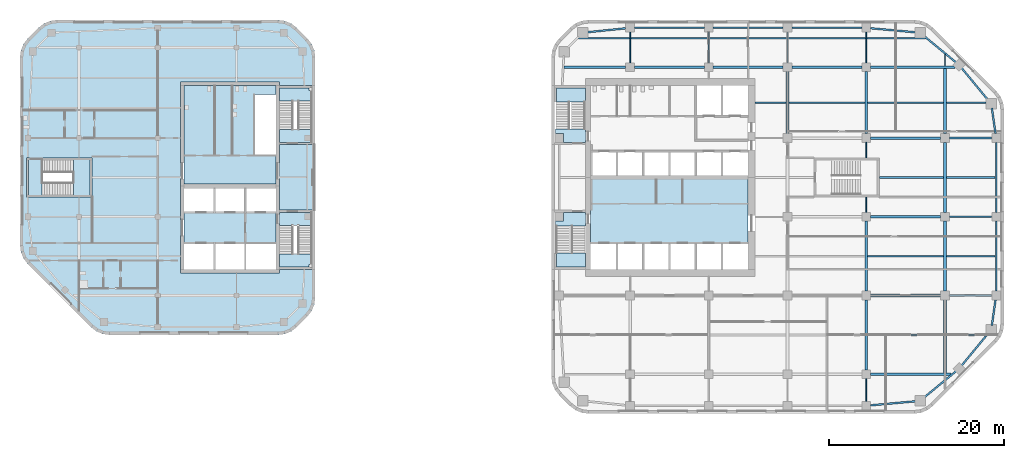
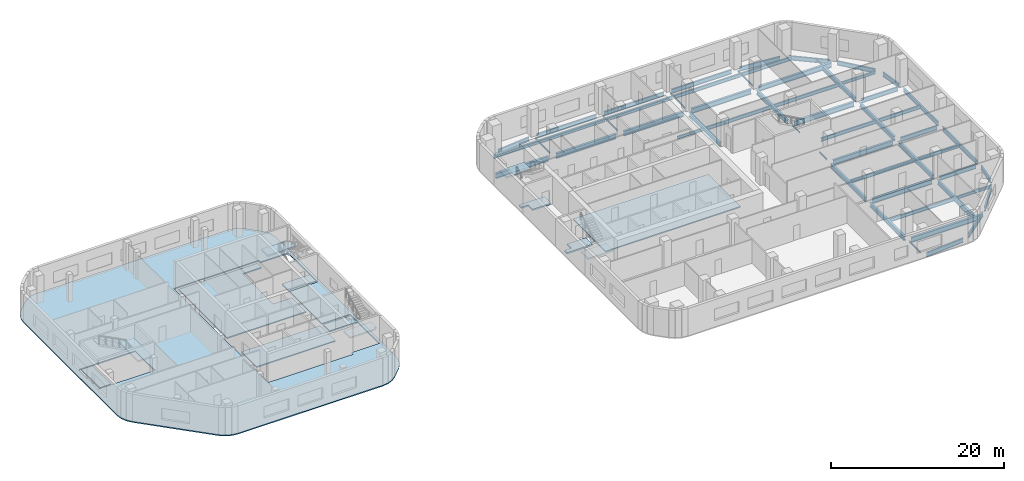
# One storey, part 3 of 14: 57 beams, 14 slabs, 5 elements without a shape of their own.
"""IFC4 building model written with IfcOpenShell, lengths in metres."""

from ifc_helpers import new_model, si_unit, direction, frame, origin, origin_2d, place, context, subcontext, project, spatial, polyline, i_section, outline, extrude, material, layer, layer_set, material_profile, profile_set, type_object, element, aggregate, save


model = new_model("IFC4")

# Units and contexts
model_context = context("Model", 3, precision=1e-05, world=origin(), true_north=direction((0.0, 1.0)))
body_context = subcontext(model_context, "Body", "Model", "MODEL_VIEW")
ifc_project = project(units=[si_unit("LENGTHUNIT", "METRE"), si_unit("AREAUNIT", "SQUARE_METRE"), si_unit("VOLUMEUNIT", "CUBIC_METRE"), si_unit("PLANEANGLEUNIT", "RADIAN"), si_unit("MASSUNIT", "GRAM", prefix="KILO")], contexts=[model_context])

# Site, building, storey
site_placement = place(None, origin())
site = spatial("IfcSite", under=ifc_project, at=site_placement, CompositionType="ELEMENT")
building_placement = place(site_placement, origin())
building = spatial("IfcBuilding", under=site, at=building_placement, Name="Cinnabar Reach Civic Tower", CompositionType="ELEMENT")
storey_placement = place(building_placement, frame((0.0, 0.0, 104.0)))
storey = spatial("IfcBuildingStorey", under=building, at=storey_placement, Name="L24", CompositionType="ELEMENT", Elevation=104.0)

# Beams
ifc_material_1 = material(Name="Steel Q355B", Category="steel")
ifc_material_profile_1 = material_profile(ifc_material_1, i_section(OverallWidth=0.302, OverallDepth=0.594, WebThickness=0.014, FlangeThickness=0.023, FilletRadius=0.016, at=origin_2d()), Name="HM594x302x14x23")
ifc_profile_set_1 = profile_set([ifc_material_profile_1], Name="Steel Q355B")
beam_type_1 = type_object("IfcBeamType", Name="HM594x302x14x23 beam R 180", PredefinedType="BEAM", material=ifc_profile_set_1)
beam_1_placement = place(storey_placement, frame((27.0, 36.502, -0.447), z_axis=(0.0, 1.0, 0.0), x_axis=(-1.0, 0.0, 0.0)))
element("IfcBeam", 1, at=beam_1_placement, inside=storey, type_object=beam_type_1, Name="Girder T1 L24 13", PredefinedType="BEAM", context=body_context, shape_type="SweptSolid", body=[
    extrude(i_section(OverallWidth=0.302, OverallDepth=0.594, WebThickness=0.014, FlangeThickness=0.023, FilletRadius=0.016, at=origin_2d()), origin(), (0.0, 0.0, 1.0), 7.096),
])
for number, where, z_axis, x_axis, name in (
    (2, (36.0, 9.502, -0.447), (0.0, 1.0, 0.0), (-1.0, 0.0, 0.0), "Girder T1 L24 16"),
    (3, (36.0, 18.502, -0.447), (0.0, 1.0, 0.0), (-1.0, 0.0, 0.0), "Girder T1 L24 17"),
):
    element("IfcBeam", number, at=place(storey_placement, frame(where, z_axis=z_axis, x_axis=x_axis)), inside=storey, type_object=beam_type_1, Name=name, PredefinedType="BEAM", context=body_context, shape_type="SweptSolid", body=[
        extrude(i_section(OverallWidth=0.302, OverallDepth=0.594, WebThickness=0.014, FlangeThickness=0.023, FilletRadius=0.016, at=origin_2d()), origin(), (0.0, 0.0, 1.0), 7.996),
    ])
beam_2_placement = place(storey_placement, frame((36.0, 36.502, -0.447), z_axis=(0.0, 1.0, 0.0), x_axis=(-1.0, 0.0, 0.0)))
element("IfcBeam", 4, at=beam_2_placement, inside=storey, type_object=beam_type_1, Name="Girder T1 L24 20", PredefinedType="BEAM", context=body_context, shape_type="SweptSolid", body=[
    extrude(i_section(OverallWidth=0.302, OverallDepth=0.594, WebThickness=0.014, FlangeThickness=0.023, FilletRadius=0.016, at=origin_2d()), origin(), (0.0, 0.0, 1.0), 7.096),
])
beam_3_placement = place(storey_placement, frame((45.0, 9.152, -0.447), z_axis=(0.0, 1.0, 0.0), x_axis=(-1.0, 0.0, 0.0)))
element("IfcBeam", 5, at=beam_3_placement, inside=storey, type_object=beam_type_1, Name="Girder T1 L24 22", PredefinedType="BEAM", context=body_context, shape_type="SweptSolid", body=[
    extrude(i_section(OverallWidth=0.302, OverallDepth=0.594, WebThickness=0.014, FlangeThickness=0.023, FilletRadius=0.016, at=origin_2d()), origin(), (0.0, 0.0, 1.0), 8.346),
])
for number, where, z_axis, x_axis, name in (
    (6, (45.0, 18.502, -0.447), (0.0, 1.0, 0.0), (-1.0, 0.0, 0.0), "Girder T1 L24 23"),
    (7, (45.0, 27.502, -0.447), (0.0, 1.0, 0.0), (-1.0, 0.0, 0.0), "Girder T1 L24 24"),
):
    element("IfcBeam", number, at=place(storey_placement, frame(where, z_axis=z_axis, x_axis=x_axis)), inside=storey, type_object=beam_type_1, Name=name, PredefinedType="BEAM", context=body_context, shape_type="SweptSolid", body=[
        extrude(i_section(OverallWidth=0.302, OverallDepth=0.594, WebThickness=0.014, FlangeThickness=0.023, FilletRadius=0.016, at=origin_2d()), origin(), (0.0, 0.0, 1.0), 7.996),
    ])
beam_4_placement = place(storey_placement, frame((45.0, 36.502, -0.447), z_axis=(0.0, 1.0, 0.0), x_axis=(-1.0, 0.0, 0.0)))
element("IfcBeam", 8, at=beam_4_placement, inside=storey, type_object=beam_type_1, Name="Girder T1 L24 25", PredefinedType="BEAM", context=body_context, shape_type="SweptSolid", body=[
    extrude(i_section(OverallWidth=0.302, OverallDepth=0.594, WebThickness=0.014, FlangeThickness=0.023, FilletRadius=0.016, at=origin_2d()), origin(), (0.0, 0.0, 1.0), 7.446),
])
ifc_material_profile_2 = material_profile(ifc_material_1, i_section(OverallWidth=0.099, OverallDepth=0.198, WebThickness=0.0045, FlangeThickness=0.007, FilletRadius=0.013, at=origin_2d()), Name="HN200x100x5.5x8")
ifc_profile_set_2 = profile_set([ifc_material_profile_2], Name="Steel Q355B")
beam_type_2 = type_object("IfcBeamType", Name="HN200x100x5.5x8 beam R 180", PredefinedType="BEAM", material=ifc_profile_set_2)
for number, where, z_axis, x_axis, name in (
    (9, (9.0, 44.602, -0.249), (0.0, 1.0, 0.0), (-1.0, 0.0, 0.0), "Girder T1 L24 4"),
    (10, (18.0, 44.602, -0.249), (0.0, 1.0, 0.0), (-1.0, 0.0, 0.0), "Girder T1 L24 8"),
    (11, (27.0, 44.602, -0.249), (0.0, 1.0, 0.0), (-1.0, 0.0, 0.0), "Girder T1 L24 14"),
):
    element("IfcBeam", number, at=place(storey_placement, frame(where, z_axis=z_axis, x_axis=x_axis)), inside=storey, type_object=beam_type_2, Name=name, PredefinedType="BEAM", context=body_context, shape_type="SweptSolid", body=[
        extrude(i_section(OverallWidth=0.099, OverallDepth=0.198, WebThickness=0.0045, FlangeThickness=0.007, FilletRadius=0.013, at=origin_2d()), origin(), (0.0, 0.0, 1.0), 3.496),
    ])
beam_5_placement = place(storey_placement, frame((36.0, 5.902, -0.249), z_axis=(0.0, 1.0, 0.0), x_axis=(-1.0, 0.0, 0.0)))
element("IfcBeam", 12, at=beam_5_placement, inside=storey, type_object=beam_type_2, Name="Girder T1 L24 15", PredefinedType="BEAM", context=body_context, shape_type="SweptSolid", body=[
    extrude(i_section(OverallWidth=0.099, OverallDepth=0.198, WebThickness=0.0045, FlangeThickness=0.007, FilletRadius=0.013, at=origin_2d()), origin(), (0.0, 0.0, 1.0), 2.596),
])
for number, where, z_axis, x_axis, name in (
    (13, (36.0, 27.502, -0.249), (0.0, 1.0, 0.0), (-1.0, 0.0, 0.0), "Girder T1 L24 18"),
    (14, (36.0, 33.752, -0.249), (0.0, 1.0, 0.0), (-1.0, 0.0, 0.0), "Girder T1 L24 19"),
):
    element("IfcBeam", number, at=place(storey_placement, frame(where, z_axis=z_axis, x_axis=x_axis)), inside=storey, type_object=beam_type_2, Name=name, PredefinedType="BEAM", context=body_context, shape_type="SweptSolid", body=[
        extrude(i_section(OverallWidth=0.099, OverallDepth=0.198, WebThickness=0.0045, FlangeThickness=0.007, FilletRadius=0.013, at=origin_2d()), origin(), (0.0, 0.0, 1.0), 1.746),
    ])
beam_6_placement = place(storey_placement, frame((36.0, 44.602, -0.249), z_axis=(0.0, 1.0, 0.0), x_axis=(-1.0, 0.0, 0.0)))
element("IfcBeam", 15, at=beam_6_placement, inside=storey, type_object=beam_type_2, Name="Girder T1 L24 21", PredefinedType="BEAM", context=body_context, shape_type="SweptSolid", body=[
    extrude(i_section(OverallWidth=0.099, OverallDepth=0.198, WebThickness=0.0045, FlangeThickness=0.007, FilletRadius=0.013, at=origin_2d()), origin(), (0.0, 0.0, 1.0), 3.496),
])
beam_7_placement = place(storey_placement, frame((45.0, 44.252, -0.249), z_axis=(0.0, 1.0, 0.0), x_axis=(-1.0, 0.0, 0.0)))
element("IfcBeam", 16, at=beam_7_placement, inside=storey, type_object=beam_type_2, Name="Girder T1 L24 26", PredefinedType="BEAM", context=body_context, shape_type="SweptSolid", body=[
    extrude(i_section(OverallWidth=0.099, OverallDepth=0.198, WebThickness=0.0045, FlangeThickness=0.007, FilletRadius=0.013, at=origin_2d()), origin(), (0.0, 0.0, 1.0), 1.3103),
])
ifc_material_profile_3 = material_profile(ifc_material_1, i_section(OverallWidth=0.199, OverallDepth=0.396, WebThickness=0.007, FlangeThickness=0.011, FilletRadius=0.013, at=origin_2d()), Name="HN396x199x7x11")
ifc_profile_set_3 = profile_set([ifc_material_profile_3], Name="Steel Q355B")
beam_type_3 = type_object("IfcBeamType", Name="HN396x199x7x11 beam R 180", PredefinedType="BEAM", material=ifc_profile_set_3)
beam_8_placement = place(storey_placement, frame((45.153, 13.5, -0.348), z_axis=(1.0, 0.0, 0.0), x_axis=(0.0, 1.0, 0.0)))
element("IfcBeam", 17, at=beam_8_placement, inside=storey, type_object=beam_type_3, Name="Secondary beam T1 L24 6", PredefinedType="BEAM", context=body_context, shape_type="SweptSolid", body=[
    extrude(i_section(OverallWidth=0.199, OverallDepth=0.396, WebThickness=0.007, FlangeThickness=0.011, FilletRadius=0.013, at=origin_2d()), origin(), (0.0, 0.0, 1.0), 4.5152),
])
beam_9_placement = place(storey_placement, frame((23.302, 40.05, -0.348), z_axis=(1.0, 0.0, 0.0), x_axis=(0.0, 1.0, 0.0)))
element("IfcBeam", 18, at=beam_9_placement, inside=storey, type_object=beam_type_3, Name="Secondary beam T1 L24 16", PredefinedType="BEAM", context=body_context, shape_type="SweptSolid", body=[
    extrude(i_section(OverallWidth=0.199, OverallDepth=0.396, WebThickness=0.007, FlangeThickness=0.011, FilletRadius=0.013, at=origin_2d()), origin(), (0.0, 0.0, 1.0), 3.545),
])
beam_10_placement = place(storey_placement, frame((45.153, 40.05, -0.348), z_axis=(1.0, 0.0, 0.0), x_axis=(0.0, 1.0, 0.0)))
element("IfcBeam", 19, at=beam_10_placement, inside=storey, type_object=beam_type_3, Name="Secondary beam T1 L24 19", PredefinedType="BEAM", context=body_context, shape_type="SweptSolid", body=[
    extrude(i_section(OverallWidth=0.199, OverallDepth=0.396, WebThickness=0.007, FlangeThickness=0.011, FilletRadius=0.013, at=origin_2d()), origin(), (0.0, 0.0, 1.0), 4.5419),
])
ifc_material_profile_4 = material_profile(ifc_material_1, i_section(OverallWidth=0.199, OverallDepth=0.496, WebThickness=0.009, FlangeThickness=0.014, FilletRadius=0.016, at=origin_2d()), Name="HN496x199x9x14")
ifc_profile_set_4 = profile_set([ifc_material_profile_4], Name="Steel Q355B")
beam_type_4 = type_object("IfcBeamType", Name="HN496x199x9x14 beam R 180", PredefinedType="BEAM", material=ifc_profile_set_4)
for number, where, z_axis, x_axis, name in (
    (20, (36.153, 13.5, -0.398), (1.0, 0.0, 0.0), (0.0, 1.0, 0.0), "Secondary beam T1 L24 5"),
    (21, (36.153, 22.5, -0.398), (1.0, 0.0, 0.0), (0.0, 1.0, 0.0), "Secondary beam T1 L24 9"),
):
    element("IfcBeam", number, at=place(storey_placement, frame(where, z_axis=z_axis, x_axis=x_axis)), inside=storey, type_object=beam_type_4, Name=name, PredefinedType="BEAM", context=body_context, shape_type="SweptSolid", body=[
        extrude(i_section(OverallWidth=0.199, OverallDepth=0.496, WebThickness=0.009, FlangeThickness=0.014, FilletRadius=0.016, at=origin_2d()), origin(), (0.0, 0.0, 1.0), 8.694),
    ])
beam_11_placement = place(storey_placement, frame((45.153, 22.5, -0.398), z_axis=(1.0, 0.0, 0.0), x_axis=(0.0, 1.0, 0.0)))
element("IfcBeam", 22, at=beam_11_placement, inside=storey, type_object=beam_type_4, Name="Secondary beam T1 L24 10", PredefinedType="BEAM", context=body_context, shape_type="SweptSolid", body=[
    extrude(i_section(OverallWidth=0.199, OverallDepth=0.496, WebThickness=0.009, FlangeThickness=0.014, FilletRadius=0.016, at=origin_2d()), origin(), (0.0, 0.0, 1.0), 5.595),
])
beam_12_placement = place(storey_placement, frame((37.502, 31.5, -0.398), z_axis=(1.0, 0.0, 0.0), x_axis=(0.0, 1.0, 0.0)))
element("IfcBeam", 23, at=beam_12_placement, inside=storey, type_object=beam_type_4, Name="Secondary beam T1 L24 14", PredefinedType="BEAM", context=body_context, shape_type="SweptSolid", body=[
    extrude(i_section(OverallWidth=0.199, OverallDepth=0.496, WebThickness=0.009, FlangeThickness=0.014, FilletRadius=0.016, at=origin_2d()), origin(), (0.0, 0.0, 1.0), 7.345),
])
beam_13_placement = place(storey_placement, frame((45.153, 31.5, -0.398), z_axis=(1.0, 0.0, 0.0), x_axis=(0.0, 1.0, 0.0)))
element("IfcBeam", 24, at=beam_13_placement, inside=storey, type_object=beam_type_4, Name="Secondary beam T1 L24 15", PredefinedType="BEAM", context=body_context, shape_type="SweptSolid", body=[
    extrude(i_section(OverallWidth=0.199, OverallDepth=0.496, WebThickness=0.009, FlangeThickness=0.014, FilletRadius=0.016, at=origin_2d()), origin(), (0.0, 0.0, 1.0), 5.595),
])
for number, where, z_axis, x_axis, name in (
    (25, (27.153, 40.05, -0.398), (1.0, 0.0, 0.0), (0.0, 1.0, 0.0), "Secondary beam T1 L24 17"),
    (26, (36.153, 40.05, -0.398), (1.0, 0.0, 0.0), (0.0, 1.0, 0.0), "Secondary beam T1 L24 18"),
):
    element("IfcBeam", number, at=place(storey_placement, frame(where, z_axis=z_axis, x_axis=x_axis)), inside=storey, type_object=beam_type_4, Name=name, PredefinedType="BEAM", context=body_context, shape_type="SweptSolid", body=[
        extrude(i_section(OverallWidth=0.199, OverallDepth=0.496, WebThickness=0.009, FlangeThickness=0.014, FilletRadius=0.016, at=origin_2d()), origin(), (0.0, 0.0, 1.0), 8.694),
    ])
beam_14_placement = place(storey_placement, frame((3.0992, 47.4, -0.398), z_axis=(1.0, 0.0, 0.0), x_axis=(0.0, 1.0, 0.0)))
element("IfcBeam", 27, at=beam_14_placement, inside=storey, type_object=beam_type_4, Name="Secondary beam T1 L24 20", PredefinedType="BEAM", context=body_context, shape_type="SweptSolid", body=[
    extrude(i_section(OverallWidth=0.199, OverallDepth=0.496, WebThickness=0.009, FlangeThickness=0.014, FilletRadius=0.016, at=origin_2d()), origin(), (0.0, 0.0, 1.0), 5.8493),
])
for number, where, z_axis, x_axis, name in (
    (28, (9.0515, 47.4, -0.398), (1.0, 0.0, 0.0), (0.0, 1.0, 0.0), "Secondary beam T1 L24 21"),
    (29, (18.0515, 47.4, -0.398), (1.0, 0.0, 0.0), (0.0, 1.0, 0.0), "Secondary beam T1 L24 22"),
    (30, (27.0515, 47.4, -0.398), (1.0, 0.0, 0.0), (0.0, 1.0, 0.0), "Secondary beam T1 L24 23"),
):
    element("IfcBeam", number, at=place(storey_placement, frame(where, z_axis=z_axis, x_axis=x_axis)), inside=storey, type_object=beam_type_4, Name=name, PredefinedType="BEAM", context=body_context, shape_type="SweptSolid", body=[
        extrude(i_section(OverallWidth=0.199, OverallDepth=0.496, WebThickness=0.009, FlangeThickness=0.014, FilletRadius=0.016, at=origin_2d()), origin(), (0.0, 0.0, 1.0), 8.897),
    ])
beam_15_placement = place(storey_placement, frame((36.0515, 47.4, -0.398), z_axis=(1.0, 0.0, 0.0), x_axis=(0.0, 1.0, 0.0)))
element("IfcBeam", 31, at=beam_15_placement, inside=storey, type_object=beam_type_4, Name="Secondary beam T1 L24 24", PredefinedType="BEAM", context=body_context, shape_type="SweptSolid", body=[
    extrude(i_section(OverallWidth=0.199, OverallDepth=0.496, WebThickness=0.009, FlangeThickness=0.014, FilletRadius=0.016, at=origin_2d()), origin(), (0.0, 0.0, 1.0), 6.7206),
])
ifc_material_profile_5 = material_profile(ifc_material_1, i_section(OverallWidth=0.199, OverallDepth=0.596, WebThickness=0.01, FlangeThickness=0.015, FilletRadius=0.016, at=origin_2d()), Name="HN596x199x10x15")
ifc_profile_set_5 = profile_set([ifc_material_profile_5], Name="Steel Q355B")
beam_type_5 = type_object("IfcBeamType", Name="HN596x199x10x15 beam R 180", PredefinedType="BEAM", material=ifc_profile_set_5)
for number, where, z_axis, x_axis, name in (
    (32, (45.502, 18.0, -0.448), (1.0, 0.0, 0.0), (0.0, 1.0, 0.0), "Girder T1 L24 11"),
    (33, (45.502, 27.0, -0.448), (1.0, 0.0, 0.0), (0.0, 1.0, 0.0), "Girder T1 L24 15"),
    (34, (45.502, 36.0, -0.448), (1.0, 0.0, 0.0), (0.0, 1.0, 0.0), "Girder T1 L24 19"),
):
    element("IfcBeam", number, at=place(storey_placement, frame(where, z_axis=z_axis, x_axis=x_axis)), inside=storey, type_object=beam_type_5, Name=name, PredefinedType="BEAM", context=body_context, shape_type="SweptSolid", body=[
        extrude(i_section(OverallWidth=0.199, OverallDepth=0.596, WebThickness=0.01, FlangeThickness=0.015, FilletRadius=0.016, at=origin_2d()), origin(), (0.0, 0.0, 1.0), 4.846),
    ])
ifc_material_profile_6 = material_profile(ifc_material_1, i_section(OverallWidth=0.2, OverallDepth=0.6, WebThickness=0.011, FlangeThickness=0.017, FilletRadius=0.016, at=origin_2d()), Name="HN600x200x11x17")
ifc_profile_set_6 = profile_set([ifc_material_profile_6], Name="Steel Q355B")
beam_type_6 = type_object("IfcBeamType", Name="HN600x200x11x17 beam R 180", PredefinedType="BEAM", material=ifc_profile_set_6)
beam_16_placement = place(storey_placement, frame((36.502, 5.4452, -0.45), z_axis=(0.995979069281, 0.089586235294, 0.0), x_axis=(-0.089586235294, 0.995979069281, 0.0)))
element("IfcBeam", 35, at=beam_16_placement, inside=storey, type_object=beam_type_6, Name="Edge beam T1 L24 5", PredefinedType="BEAM", context=body_context, shape_type="SweptSolid", body=[
    extrude(i_section(OverallWidth=0.2, OverallDepth=0.6, WebThickness=0.011, FlangeThickness=0.017, FilletRadius=0.016, at=origin_2d()), origin(), (0.0, 0.0, 1.0), 5.1849),
])
for number, where, z_axis, x_axis, name in (
    (36, (42.6301, 6.3507, -0.45), (0.77143827905, 0.6363041581, 0.0), (-0.6363041581, 0.77143827905, 0.0), "Edge beam T1 L24 6"),
    (37, (46.8961, 9.9789, -0.45), (0.6363041581, 0.77143827905, 0.0), (-0.77143827905, 0.6363041581, 0.0), "Edge beam T1 L24 7"),
):
    element("IfcBeam", number, at=place(storey_placement, frame(where, z_axis=z_axis, x_axis=x_axis)), inside=storey, type_object=beam_type_6, Name=name, PredefinedType="BEAM", context=body_context, shape_type="SweptSolid", body=[
        extrude(i_section(OverallWidth=0.2, OverallDepth=0.6, WebThickness=0.011, FlangeThickness=0.017, FilletRadius=0.016, at=origin_2d()), origin(), (0.0, 0.0, 1.0), 4.7198),
    ])
beam_17_placement = place(storey_placement, frame((50.3653, 14.5839, -0.45), z_axis=(0.140489003738, 0.990082238922, 0.0), x_axis=(-0.990082238922, 0.140489003738, 0.0)))
element("IfcBeam", 38, at=beam_17_placement, inside=storey, type_object=beam_type_6, Name="Edge beam T1 L24 8", PredefinedType="BEAM", context=body_context, shape_type="SweptSolid", body=[
    extrude(i_section(OverallWidth=0.2, OverallDepth=0.6, WebThickness=0.011, FlangeThickness=0.017, FilletRadius=0.016, at=origin_2d()), origin(), (0.0, 0.0, 1.0), 2.9433),
])
for number, where, z_axis, x_axis, name in (
    (39, (50.85, 18.502, -0.45), (0.0, 1.0, 0.0), (-1.0, 0.0, 0.0), "Edge beam T1 L24 9"),
    (40, (50.85, 27.502, -0.45), (0.0, 1.0, 0.0), (-1.0, 0.0, 0.0), "Edge beam T1 L24 10"),
):
    element("IfcBeam", number, at=place(storey_placement, frame(where, z_axis=z_axis, x_axis=x_axis)), inside=storey, type_object=beam_type_6, Name=name, PredefinedType="BEAM", context=body_context, shape_type="SweptSolid", body=[
        extrude(i_section(OverallWidth=0.2, OverallDepth=0.6, WebThickness=0.011, FlangeThickness=0.017, FilletRadius=0.016, at=origin_2d()), origin(), (0.0, 0.0, 1.0), 7.996),
    ])
beam_18_placement = place(storey_placement, frame((50.7788, 36.502, -0.45), z_axis=(-0.140489003738, 0.990082238922, 0.0), x_axis=(-0.990082238922, -0.140489003738, 0.0)))
element("IfcBeam", 41, at=beam_18_placement, inside=storey, type_object=beam_type_6, Name="Edge beam T1 L24 11", PredefinedType="BEAM", context=body_context, shape_type="SweptSolid", body=[
    extrude(i_section(OverallWidth=0.2, OverallDepth=0.6, WebThickness=0.011, FlangeThickness=0.017, FilletRadius=0.016, at=origin_2d()), origin(), (0.0, 0.0, 1.0), 2.9433),
])
for number, where, z_axis, x_axis, name in (
    (42, (49.8993, 40.3801, -0.45), (-0.6363041581, 0.77143827905, 0.0), (-0.77143827905, -0.6363041581, 0.0), "Edge beam T1 L24 12"),
    (43, (46.2711, 44.6461, -0.45), (-0.77143827905, 0.6363041581, 0.0), (-0.6363041581, -0.77143827905, 0.0), "Edge beam T1 L24 13"),
):
    element("IfcBeam", number, at=place(storey_placement, frame(where, z_axis=z_axis, x_axis=x_axis)), inside=storey, type_object=beam_type_6, Name=name, PredefinedType="BEAM", context=body_context, shape_type="SweptSolid", body=[
        extrude(i_section(OverallWidth=0.2, OverallDepth=0.6, WebThickness=0.011, FlangeThickness=0.017, FilletRadius=0.016, at=origin_2d()), origin(), (0.0, 0.0, 1.0), 4.7198),
    ])
beam_19_placement = place(storey_placement, frame((41.6661, 48.0903, -0.45), z_axis=(-0.995979069281, 0.089586235294, 0.0), x_axis=(-0.089586235294, -0.995979069281, 0.0)))
element("IfcBeam", 44, at=beam_19_placement, inside=storey, type_object=beam_type_6, Name="Edge beam T1 L24 14", PredefinedType="BEAM", context=body_context, shape_type="SweptSolid", body=[
    extrude(i_section(OverallWidth=0.2, OverallDepth=0.6, WebThickness=0.011, FlangeThickness=0.017, FilletRadius=0.016, at=origin_2d()), origin(), (0.0, 0.0, 1.0), 5.1849),
])
for number, where, z_axis, x_axis, name in (
    (45, (35.498, 48.6, -0.45), (-1.0, 0.0, 0.0), (0.0, -1.0, 0.0), "Edge beam T1 L24 15"),
    (46, (26.498, 48.6, -0.45), (-1.0, 0.0, 0.0), (0.0, -1.0, 0.0), "Edge beam T1 L24 16"),
    (47, (17.498, 48.6, -0.45), (-1.0, 0.0, 0.0), (0.0, -1.0, 0.0), "Edge beam T1 L24 17"),
):
    element("IfcBeam", number, at=place(storey_placement, frame(where, z_axis=z_axis, x_axis=x_axis)), inside=storey, type_object=beam_type_6, Name=name, PredefinedType="BEAM", context=body_context, shape_type="SweptSolid", body=[
        extrude(i_section(OverallWidth=0.2, OverallDepth=0.6, WebThickness=0.011, FlangeThickness=0.017, FilletRadius=0.016, at=origin_2d()), origin(), (0.0, 0.0, 1.0), 7.996),
    ])
beam_20_placement = place(storey_placement, frame((8.498, 48.5486, -0.45), z_axis=(-0.994791228755, -0.101933366432, 0.0), x_axis=(0.101933366432, -0.994791228755, 0.0)))
element("IfcBeam", 48, at=beam_20_placement, inside=storey, type_object=beam_type_6, Name="Edge beam T1 L24 18", PredefinedType="BEAM", context=body_context, shape_type="SweptSolid", body=[
    extrude(i_section(OverallWidth=0.2, OverallDepth=0.6, WebThickness=0.011, FlangeThickness=0.017, FilletRadius=0.016, at=origin_2d()), origin(), (0.0, 0.0, 1.0), 4.4372),
])
ifc_material_profile_7 = material_profile(ifc_material_1, i_section(OverallWidth=0.3, OverallDepth=0.692, WebThickness=0.013, FlangeThickness=0.02, FilletRadius=0.016, at=origin_2d()), Name="HN692x300x13x20")
ifc_profile_set_7 = profile_set([ifc_material_profile_7], Name="Steel Q355B")
beam_type_7 = type_object("IfcBeamType", Name="HN692x300x13x20 beam R 180", PredefinedType="BEAM", material=ifc_profile_set_7)
beam_21_placement = place(storey_placement, frame((36.502, 9.0, -0.496), z_axis=(1.0, 0.0, 0.0), x_axis=(0.0, 1.0, 0.0)))
element("IfcBeam", 49, at=beam_21_placement, inside=storey, type_object=beam_type_7, Name="Girder T1 L24 5", PredefinedType="BEAM", context=body_context, shape_type="SweptSolid", body=[
    extrude(i_section(OverallWidth=0.3, OverallDepth=0.692, WebThickness=0.013, FlangeThickness=0.02, FilletRadius=0.016, at=origin_2d()), origin(), (0.0, 0.0, 1.0), 9.1798),
])
for number, where, z_axis, x_axis, name in (
    (50, (36.502, 18.0, -0.496), (1.0, 0.0, 0.0), (0.0, 1.0, 0.0), "Girder T1 L24 10"),
    (51, (36.502, 27.0, -0.496), (1.0, 0.0, 0.0), (0.0, 1.0, 0.0), "Girder T1 L24 14"),
    (52, (36.502, 36.0, -0.496), (1.0, 0.0, 0.0), (0.0, 1.0, 0.0), "Girder T1 L24 18"),
):
    element("IfcBeam", number, at=place(storey_placement, frame(where, z_axis=z_axis, x_axis=x_axis)), inside=storey, type_object=beam_type_7, Name=name, PredefinedType="BEAM", context=body_context, shape_type="SweptSolid", body=[
        extrude(i_section(OverallWidth=0.3, OverallDepth=0.692, WebThickness=0.013, FlangeThickness=0.02, FilletRadius=0.016, at=origin_2d()), origin(), (0.0, 0.0, 1.0), 7.996),
    ])
beam_22_placement = place(storey_placement, frame((1.4548, 44.1, -0.496), z_axis=(1.0, 0.0, 0.0), x_axis=(0.0, 1.0, 0.0)))
element("IfcBeam", 53, at=beam_22_placement, inside=storey, type_object=beam_type_7, Name="Girder T1 L24 20", PredefinedType="BEAM", context=body_context, shape_type="SweptSolid", body=[
    extrude(i_section(OverallWidth=0.3, OverallDepth=0.692, WebThickness=0.013, FlangeThickness=0.02, FilletRadius=0.016, at=origin_2d()), origin(), (0.0, 0.0, 1.0), 7.0432),
])
for number, where, z_axis, x_axis, name in (
    (54, (9.502, 44.1, -0.496), (1.0, 0.0, 0.0), (0.0, 1.0, 0.0), "Girder T1 L24 21"),
    (55, (18.502, 44.1, -0.496), (1.0, 0.0, 0.0), (0.0, 1.0, 0.0), "Girder T1 L24 22"),
    (56, (27.502, 44.1, -0.496), (1.0, 0.0, 0.0), (0.0, 1.0, 0.0), "Girder T1 L24 23"),
):
    element("IfcBeam", number, at=place(storey_placement, frame(where, z_axis=z_axis, x_axis=x_axis)), inside=storey, type_object=beam_type_7, Name=name, PredefinedType="BEAM", context=body_context, shape_type="SweptSolid", body=[
        extrude(i_section(OverallWidth=0.3, OverallDepth=0.692, WebThickness=0.013, FlangeThickness=0.02, FilletRadius=0.016, at=origin_2d()), origin(), (0.0, 0.0, 1.0), 7.996),
    ])
beam_23_placement = place(storey_placement, frame((36.502, 44.1, -0.496), z_axis=(1.0, 0.0, 0.0), x_axis=(0.0, 1.0, 0.0)))
element("IfcBeam", 57, at=beam_23_placement, inside=storey, type_object=beam_type_7, Name="Girder T1 L24 24", PredefinedType="BEAM", context=body_context, shape_type="SweptSolid", body=[
    extrude(i_section(OverallWidth=0.3, OverallDepth=0.692, WebThickness=0.013, FlangeThickness=0.02, FilletRadius=0.016, at=origin_2d()), origin(), (0.0, 0.0, 1.0), 9.6653),
])

# Slab
ifc_material_2 = material(Name="Concrete C40", Category="concrete")
ifc_layer_1 = layer(ifc_material_2, 0.15)
ifc_layer_set_1 = layer_set([ifc_layer_1], Name="Composite floor slab 150 REI 120")
slab_type_1 = type_object("IfcSlabType", Name="Composite floor slab 150 REI 120", PredefinedType="FLOOR", material=ifc_layer_set_1)
slab_1_placement = place(storey_placement, frame((0.0, 0.0, -0.15)))
element("IfcSlab", 58, at=slab_1_placement, inside=storey, type_object=slab_type_1, Name="Composite floor slab 150 T2 L24", PredefinedType="FLOOR", context=body_context, shape_type="SweptSolid", body=[
    extrude(outline(polyline([(-59.8713, 21.6213), (-60.3481, 22.2426), (-60.6478, 22.9662), (-60.75, 23.7426), (-60.75, 45.2574), (-60.6478, 46.0338), (-60.3481, 46.7574), (-59.8713, 47.3787), (-58.6287, 48.6213), (-58.0074, 49.0981), (-57.2838, 49.3978), (-56.5074, 49.5), (-31.2426, 49.5), (-30.4662, 49.3978), (-29.7426, 49.0981), (-29.1213, 48.6213), (-27.8787, 47.3787), (-27.4019, 46.7574), (-27.1022, 46.0338), (-27.0, 45.2574), (-27.0, 17.7426), (-27.1022, 16.9662), (-27.4019, 16.2426), (-27.8787, 15.6213), (-29.1213, 14.3787), (-29.7426, 13.9019), (-30.4662, 13.6022), (-31.2426, 13.5), (-50.5074, 13.5), (-51.2838, 13.6022), (-52.0074, 13.9019), (-52.6287, 14.3787), (-59.8713, 21.6213)]), holes=[polyline([(-31.1, 27.75), (-31.1, 35.25), (-27.36, 35.25), (-27.36, 42.0), (-31.1, 42.0), (-31.1, 42.4), (-42.4, 42.4), (-42.4, 20.6), (-31.1, 20.6), (-31.1, 21.0), (-27.36, 21.0), (-27.36, 27.75), (-31.1, 27.75)]), polyline([(-60.0, 33.75), (-60.0, 29.25), (-52.5, 29.25), (-52.5, 33.75), (-60.0, 33.75)])]), origin(), (0.0, 0.0, 1.0), 0.15),
])

# Stair, slabs
ifc_material_3 = material(Name="Concrete C40/50", Category="concrete")
stair_type_1 = type_object("IfcStairType", Name="T1 Exit stair, half-turn", PredefinedType="HALF_TURN_STAIR", material=ifc_material_3)
stair_1_placement = place(storey_placement, origin())
stair_1 = element("IfcStair", 59, at=stair_1_placement, inside=storey, type_object=stair_type_1, Name="Stair T1-S1", PredefinedType="HALF_TURN_STAIR")
ifc_layer_2 = layer(ifc_material_3, 0.2)
ifc_layer_set_2 = layer_set([ifc_layer_2], Name="T1 Stair landing 200, Concrete C40/50")
slab_type_2 = type_object("IfcSlabType", Name="T1 Stair landing 200, Concrete C40/50", PredefinedType="LANDING", material=ifc_layer_set_2)
slab_2_placement = place(storey_placement, frame((0.0, 0.0, -0.2)))
slab_2 = element("IfcSlab", 60, at=slab_2_placement, type_object=slab_type_2, Name="T1-S1 landing 1", PredefinedType="LANDING", context=body_context, shape_type="SweptSolid", body=[
    extrude(outline(polyline([(3.9, 27.5), (3.9, 25.95), (0.5, 25.95), (0.5, 26.5), (1.4, 26.5), (1.4, 27.5), (3.9, 27.5)])), origin(), (0.0, 0.0, 1.0), 0.2),
])
slab_3_placement = place(storey_placement, frame((0.0, 0.0, 1.8)))
slab_3 = element("IfcSlab", 61, at=slab_3_placement, type_object=slab_type_2, Name="T1-S1 landing 2", PredefinedType="LANDING", context=body_context, shape_type="SweptSolid", body=[
    extrude(outline(polyline([(0.6, 21.25), (0.6, 22.87), (3.9, 22.87), (3.9, 21.25), (0.6, 21.25)])), origin(), (0.0, 0.0, 1.0), 0.2),
])
aggregate(stair_1, [slab_2, slab_3])

stair_2_placement = place(storey_placement, origin())
stair_2 = element("IfcStair", 62, at=stair_2_placement, inside=storey, type_object=stair_type_1, Name="Stair T1-S2", PredefinedType="HALF_TURN_STAIR")
slab_4_placement = place(storey_placement, frame((0.0, 0.0, -0.2)))
slab_4 = element("IfcSlab", 63, at=slab_4_placement, type_object=slab_type_2, Name="T1-S2 landing 1", PredefinedType="LANDING", context=body_context, shape_type="SweptSolid", body=[
    extrude(outline(polyline([(0.5, 37.05), (3.9, 37.05), (3.9, 35.5), (1.4, 35.5), (1.4, 36.5), (0.5, 36.5), (0.5, 37.05)])), origin(), (0.0, 0.0, 1.0), 0.2),
])
slab_5_placement = place(storey_placement, frame((0.0, 0.0, 1.8)))
slab_5 = element("IfcSlab", 64, at=slab_5_placement, type_object=slab_type_2, Name="T1-S2 landing 2", PredefinedType="LANDING", context=body_context, shape_type="SweptSolid", body=[
    extrude(outline(polyline([(0.6, 40.13), (0.6, 41.75), (3.9, 41.75), (3.9, 40.13), (0.6, 40.13)])), origin(), (0.0, 0.0, 1.0), 0.2),
])
aggregate(stair_2, [slab_4, slab_5])

# Slabs
ifc_layer_3 = layer(ifc_material_3, 0.15)
ifc_layer_set_3 = layer_set([ifc_layer_3], Name="T1 core floor slab 150")
slab_type_3 = type_object("IfcSlabType", Name="T1 core floor slab 150", PredefinedType="FLOOR", material=ifc_layer_set_3)
slab_6_placement = place(storey_placement, frame((0.0, 0.0, -0.15)))
element("IfcSlab", 65, at=slab_6_placement, inside=storey, type_object=slab_type_3, Name="Core floor slab L24", PredefinedType="FLOOR", context=body_context, shape_type="SweptSolid", body=[
    extrude(outline(polyline([(22.5, 24.0), (19.5, 24.0), (16.5, 24.0), (13.5, 24.0), (10.5, 24.0), (7.5, 24.0), (4.5, 24.0), (4.5, 31.5), (7.5, 31.5), (10.5, 31.5), (13.5, 31.5), (16.5, 31.5), (19.5, 31.5), (22.5, 31.5), (22.5, 24.0)])), origin(), (0.0, 0.0, 1.0), 0.15),
])
ifc_layer_4 = layer(ifc_material_2, 0.15)
ifc_layer_set_4 = layer_set([ifc_layer_4], Name="T2 Core floor slab 150")
slab_type_4 = type_object("IfcSlabType", Name="T2 Core floor slab 150", PredefinedType="FLOOR", material=ifc_layer_set_4)
slab_7_placement = place(storey_placement, frame((0.0, 0.0, -0.15)))
element("IfcSlab", 66, at=slab_7_placement, inside=storey, type_object=slab_type_4, Name="Core floor slab L24", PredefinedType="FLOOR", context=body_context, shape_type="SweptSolid", body=[
    extrude(outline(polyline([(-42.0, 42.0), (-31.5, 42.0), (-31.5, 41.0), (-34.0, 41.0), (-34.0, 34.0), (-31.5, 34.0), (-31.5, 30.75), (-42.0, 30.75), (-42.0, 42.0)])), origin(), (0.0, 0.0, 1.0), 0.15),
])
slab_8_placement = place(storey_placement, frame((0.0, 0.0, -0.15)))
element("IfcSlab", 67, at=slab_8_placement, inside=storey, type_object=slab_type_4, Name="Core floor slab L24", PredefinedType="FLOOR", context=body_context, shape_type="SweptSolid", body=[
    extrude(outline(polyline([(-35.0, 24.0), (-38.5, 24.0), (-42.0, 24.0), (-42.0, 27.5), (-38.5, 27.5), (-35.0, 27.5), (-31.5, 27.5), (-31.5, 24.0), (-35.0, 24.0)])), origin(), (0.0, 0.0, 1.0), 0.15),
])

# Stair, slabs
stair_type_2 = type_object("IfcStairType", Name="T2 Exit stair 1500", PredefinedType="HALF_TURN_STAIR", material=ifc_material_2)
stair_3_placement = place(storey_placement, origin())
stair_3 = element("IfcStair", 68, at=stair_3_placement, inside=storey, type_object=stair_type_2, Name="Exit stair 1", PredefinedType="HALF_TURN_STAIR")
ifc_layer_5 = layer(ifc_material_2, 0.2)
ifc_layer_set_5 = layer_set([ifc_layer_5], Name="T2 Stair landing 200")
slab_type_5 = type_object("IfcSlabType", Name="T2 Stair landing 200", PredefinedType="LANDING", material=ifc_layer_set_5)
slab_9_placement = place(storey_placement, frame((0.0, 0.0, -0.2)))
slab_9 = element("IfcSlab", 69, at=slab_9_placement, type_object=slab_type_5, Name="ST1 landing 1", PredefinedType="LANDING", context=body_context, shape_type="SweptSolid", body=[
    extrude(outline(polyline([(-31.1, 26.0), (-31.1, 27.5), (-27.4, 27.5), (-27.4, 26.0), (-31.1, 26.0)])), origin(), (0.0, 0.0, 1.0), 0.2),
])
slab_10_placement = place(storey_placement, frame((0.0, 0.0, 1.8)))
slab_10 = element("IfcSlab", 70, at=slab_10_placement, type_object=slab_type_5, Name="ST1 landing 2", PredefinedType="LANDING", context=body_context, shape_type="SweptSolid", body=[
    extrude(outline(polyline([(-31.1, 21.25), (-31.1, 22.75), (-27.4, 22.75), (-27.4, 21.55), (-27.7, 21.55), (-27.7, 21.25), (-31.1, 21.25)])), origin(), (0.0, 0.0, 1.0), 0.2),
])
aggregate(stair_3, [slab_9, slab_10])

stair_4_placement = place(storey_placement, origin())
stair_4 = element("IfcStair", 71, at=stair_4_placement, inside=storey, type_object=stair_type_2, Name="Exit stair 2", PredefinedType="HALF_TURN_STAIR")
slab_11_placement = place(storey_placement, frame((0.0, 0.0, -0.2)))
slab_11 = element("IfcSlab", 72, at=slab_11_placement, type_object=slab_type_5, Name="ST2 landing 1", PredefinedType="LANDING", context=body_context, shape_type="SweptSolid", body=[
    extrude(outline(polyline([(-31.1, 35.5), (-31.1, 37.0), (-27.4, 37.0), (-27.4, 35.5), (-31.1, 35.5)])), origin(), (0.0, 0.0, 1.0), 0.2),
])
slab_12_placement = place(storey_placement, frame((0.0, 0.0, 1.8)))
slab_12 = element("IfcSlab", 73, at=slab_12_placement, type_object=slab_type_5, Name="ST2 landing 2", PredefinedType="LANDING", context=body_context, shape_type="SweptSolid", body=[
    extrude(outline(polyline([(-27.4, 40.25), (-31.1, 40.25), (-31.1, 41.75), (-27.7, 41.75), (-27.7, 41.45), (-27.4, 41.45), (-27.4, 40.25)])), origin(), (0.0, 0.0, 1.0), 0.2),
])
aggregate(stair_4, [slab_11, slab_12])

stair_5_placement = place(storey_placement, origin())
stair_5 = element("IfcStair", 74, at=stair_5_placement, inside=storey, type_object=stair_type_2, Name="Exit stair 3", PredefinedType="HALF_TURN_STAIR")
slab_13_placement = place(storey_placement, frame((0.0, 0.0, -0.2)))
slab_13 = element("IfcSlab", 75, at=slab_13_placement, type_object=slab_type_5, Name="ST3 landing 1", PredefinedType="LANDING", context=body_context, shape_type="SweptSolid", body=[
    extrude(outline(polyline([(-59.75, 29.375), (-59.75, 33.625), (-58.25, 33.625), (-58.25, 29.375), (-59.75, 29.375)])), origin(), (0.0, 0.0, 1.0), 0.2),
])
slab_14_placement = place(storey_placement, frame((0.0, 0.0, 1.8)))
slab_14 = element("IfcSlab", 76, at=slab_14_placement, type_object=slab_type_5, Name="ST3 landing 2", PredefinedType="LANDING", context=body_context, shape_type="SweptSolid", body=[
    extrude(outline(polyline([(-54.65, 29.375), (-54.65, 33.625), (-52.75, 33.625), (-52.75, 29.375), (-54.65, 29.375)])), origin(), (0.0, 0.0, 1.0), 0.2),
])
aggregate(stair_5, [slab_13, slab_14])

save(model, "model.ifc")
